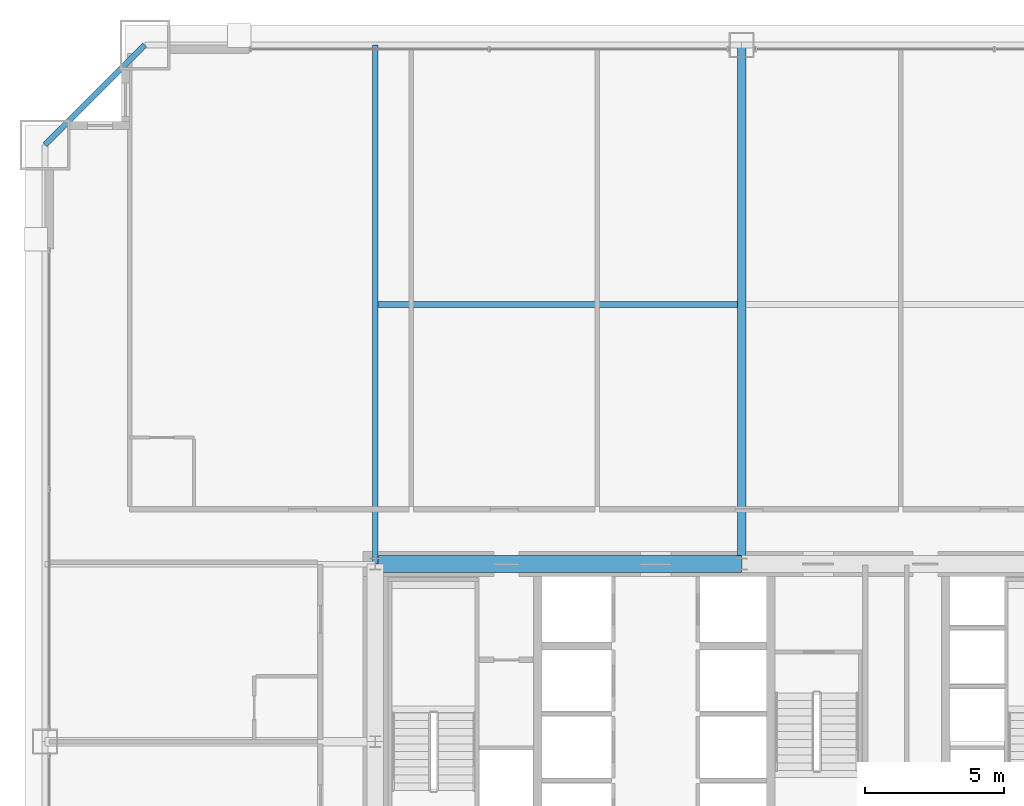
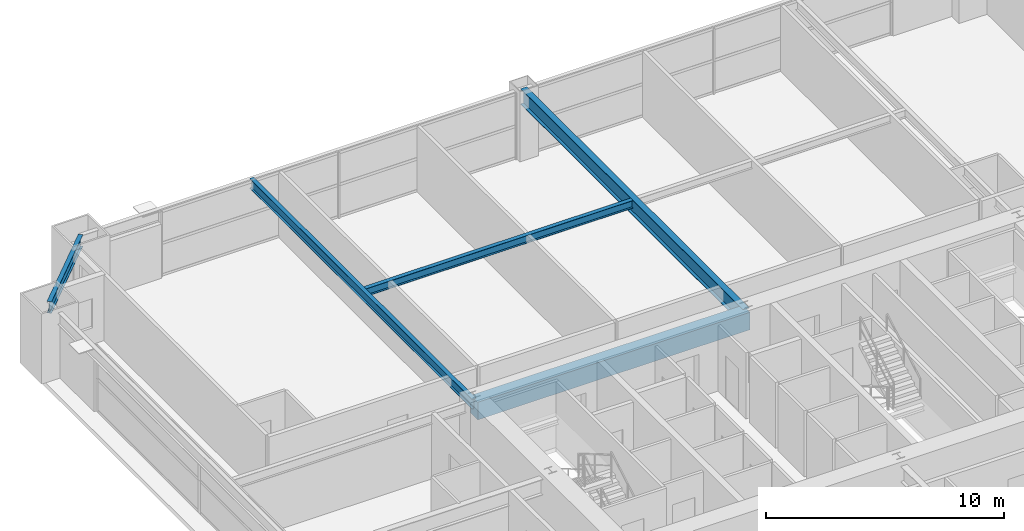
# One storey, part 25 of 43: 5 beams.
"""IFC4 building model written with IfcOpenShell, lengths in metres."""

import ifcopenshell
import ifcopenshell.guid

model = None  # the IFC model being written
_history = None  # IfcOwnerHistory: only IFC2X3 demands one
_inside = {}  # id of a spatial element -> (the spatial element, [elements in it])
_under = {}  # id of a project, library or spatial element -> (it, [spatial elements below it])
_declared = {}  # id of a project -> (the project, [libraries it declares])
_typed = {}  # id of a type object -> (the type object, [elements of that type])
_made_of = {}  # id of a material, layer set ... -> (it, [elements and type objects made of it])


def new_model(schema):
    """Start an empty IFC model of exactly this schema.

    Asked for "IFC4X3", IfcOpenShell would pick the latest addendum, in which some entities
    have other attributes; the version numbers below select the first issue.
    IFC2X3 requires an IfcOwnerHistory on every rooted entity: one is made here for all.
    """
    global model, _history
    if schema == "IFC4X3":
        model = ifcopenshell.file(schema_version=(4, 3, 0, 0))
    else:
        model = ifcopenshell.file(schema=schema)
    _inside.clear()
    _under.clear()
    _declared.clear()
    _typed.clear()
    _made_of.clear()
    _history = None
    if model.schema == "IFC2X3":
        org = make("IfcOrganization", Name="unknown")
        user = make(
            "IfcPersonAndOrganization",
            ThePerson=make("IfcPerson", FamilyName="unknown"),
            TheOrganization=org,
        )
        app = make(
            "IfcApplication",
            ApplicationDeveloper=org,
            Version="unknown",
            ApplicationFullName="unknown",
            ApplicationIdentifier="unknown",
        )
        _history = make(
            "IfcOwnerHistory",
            OwningUser=user,
            OwningApplication=app,
            ChangeAction="ADDED",
            CreationDate=0,
        )
    return model


def make(cls, **values):
    """One entity of the class cls with the attributes given. An attribute that is None is left unset."""
    return model.create_entity(
        cls, **{name: value for name, value in values.items() if value is not None}
    )


def rooted(cls, **values):
    """An entity with a GlobalId (a new one), such as an element, a storey or a relation."""
    return make(cls, GlobalId=ifcopenshell.guid.new(), OwnerHistory=_history, **values)


def si_unit(unit_type, name, prefix=None):
    """IfcSIUnit, for example si_unit("LENGTHUNIT", "METRE", prefix="MILLI")."""
    return make("IfcSIUnit", UnitType=unit_type, Prefix=prefix, Name=name)


def assignment(units):
    """IfcUnitAssignment: the units of a project."""
    return None if units is None else make("IfcUnitAssignment", Units=units)


def point(xyz):
    """IfcCartesianPoint."""
    return None if xyz is None else make("IfcCartesianPoint", Coordinates=xyz)


def direction(xyz):
    """IfcDirection."""
    return None if xyz is None else make("IfcDirection", DirectionRatios=xyz)


def frame(location, z_axis=None, x_axis=None):
    """IfcAxis2Placement3D, a coordinate frame: its origin and axes. An axis left out is left unset."""
    return make(
        "IfcAxis2Placement3D",
        Location=point(location),
        Axis=direction(z_axis),
        RefDirection=direction(x_axis),
    )


def frame_2d(location, x_axis=None):
    """IfcAxis2Placement2D, a coordinate frame in the plane: its origin and x axis."""
    return make(
        "IfcAxis2Placement2D", Location=point(location), RefDirection=direction(x_axis)
    )


def origin():
    """The frame at (0, 0, 0) with its axes left unset."""
    return frame((0.0, 0.0, 0.0))


def origin_2d():
    """The frame at (0, 0) in the plane with its x axis left unset."""
    return frame_2d((0.0, 0.0))


def place(relative_to, where):
    """IfcLocalPlacement: puts the frame where relative to a parent placement (None: the world)."""
    return make(
        "IfcLocalPlacement", PlacementRelTo=relative_to, RelativePlacement=where
    )


def context(
    kind, dimensions, precision=None, world=None, true_north=None, identifier=None
):
    """IfcGeometricRepresentationContext, for example the 3D "Model" context."""
    return make(
        "IfcGeometricRepresentationContext",
        ContextIdentifier=identifier,
        ContextType=kind,
        CoordinateSpaceDimension=dimensions,
        Precision=precision,
        WorldCoordinateSystem=world,
        TrueNorth=true_north,
    )


def subcontext(parent, identifier, kind, view, scale=None):
    """IfcGeometricRepresentationSubContext, for example "Body" below "Model"."""
    return make(
        "IfcGeometricRepresentationSubContext",
        ContextIdentifier=identifier,
        ContextType=kind,
        ParentContext=parent,
        TargetScale=scale,
        TargetView=view,
    )


def project(units=None, contexts=None):
    """IfcProject with its units and contexts."""
    return rooted(
        "IfcProject",
        Name="project",
        RepresentationContexts=contexts,
        UnitsInContext=assignment(units),
    )


def spatial(cls, under=None, at=None, **own):
    """A site, building, storey or space (cls), placed at a placement, below another one or the project."""
    s = rooted(cls, ObjectPlacement=at, **own)
    if under is not None:
        _under.setdefault(under.id(), (under, []))[1].append(s)
    return s


def profile(cls, at=None, kind="AREA", **sizes):
    """A parametric profile (cls). Its sizes go by their IFC names, for example OverallWidth=200.0."""
    return make(cls, ProfileType=kind, Position=at, **sizes)


def rectangle(**sizes):
    """IfcRectangleProfileDef."""
    return profile("IfcRectangleProfileDef", **sizes)


def i_section(**sizes):
    """IfcIShapeProfileDef."""
    return profile("IfcIShapeProfileDef", **sizes)


def extrude(swept, where, along, depth):
    """IfcExtrudedAreaSolid: the profile swept, set in the frame where, extruded along a direction by depth."""
    return make(
        "IfcExtrudedAreaSolid",
        SweptArea=swept,
        Position=where,
        ExtrudedDirection=direction(along),
        Depth=depth,
    )


def shape(context_of_items, identifier, shape_type, items):
    """IfcShapeRepresentation: the items that make up one representation, for example the "Body"."""
    return make(
        "IfcShapeRepresentation",
        ContextOfItems=context_of_items,
        RepresentationIdentifier=identifier,
        RepresentationType=shape_type,
        Items=items,
    )


def source(mapping_origin, context_of_items, identifier, shape_type, items):
    """IfcRepresentationMap: a shape defined once, which mapped items show again and again."""
    return make(
        "IfcRepresentationMap",
        MappingOrigin=mapping_origin,
        MappedRepresentation=shape(context_of_items, identifier, shape_type, items),
    )


def transform(
    local_origin,
    x_axis=None,
    y_axis=None,
    z_axis=None,
    scale=None,
    scale2=None,
    scale3=None,
    uniform=True,
):
    """IfcCartesianTransformationOperator3D, or its non-uniform kind. x_axis, y_axis, z_axis: its Axis1, 2, 3."""
    if uniform:
        return make(
            "IfcCartesianTransformationOperator3D",
            Axis1=direction(x_axis),
            Axis2=direction(y_axis),
            LocalOrigin=point(local_origin),
            Scale=scale,
            Axis3=direction(z_axis),
        )
    return make(
        "IfcCartesianTransformationOperator3DnonUniform",
        Axis1=direction(x_axis),
        Axis2=direction(y_axis),
        LocalOrigin=point(local_origin),
        Scale=scale,
        Axis3=direction(z_axis),
        Scale2=scale2,
        Scale3=scale3,
    )


def mapped(mapping_source, mapping_target):
    """IfcMappedItem: shows the shape of a source again, moved by a transform."""
    return make(
        "IfcMappedItem", MappingSource=mapping_source, MappingTarget=mapping_target
    )


def material(Name=None, Category=None):
    """IfcMaterial."""
    return make("IfcMaterial", Name=Name, Category=Category)


def material_profile(
    of_material, cross_section, Name=None, Category=None, Priority=None
):
    """IfcMaterialProfile: a cross section and its material."""
    return make(
        "IfcMaterialProfile",
        Name=Name,
        Material=of_material,
        Profile=cross_section,
        Priority=Priority,
        Category=Category,
    )


def profile_set(profiles, Name=None, composite=None):
    """IfcMaterialProfileSet."""
    return make(
        "IfcMaterialProfileSet",
        Name=Name,
        MaterialProfiles=profiles,
        CompositeProfile=composite,
    )


def made_of(thing, what):
    """Note that an element or type object is made of a material, layer set ...; save() writes the relation."""
    if what is not None:
        _made_of.setdefault(what.id(), (what, []))[1].append(thing)
    return thing


def type_object(cls, material=None, **own):
    """A type object (cls), such as IfcWallType, which elements share."""
    return made_of(rooted(cls, **own), material)


def element(
    cls,
    number,
    at=None,
    inside=None,
    cuts=None,
    type_object=None,
    material=None,
    context=None,
    identifier="Body",
    shape_type=None,
    held_by="IfcProductDefinitionShape",
    body=None,
    shapes=None,
    **own,
):
    """One element of the class cls, such as IfcWall. Its Tag is "e" and its number.

    at: its placement. inside: the storey or other place that contains it. cuts: it is an
    opening in that element (IfcRelVoidsElement). A single representation is given by context,
    identifier, shape_type and body (its items); several are given by shapes. held_by: the class
    of the entity that holds the representations. save() writes the other relations.
    """
    e = rooted(cls, Tag="e%d" % number, ObjectPlacement=at, **own)
    if body is not None:
        shapes = [shape(context, identifier, shape_type, body)]
    if shapes is not None:
        e.Representation = make(held_by, Representations=shapes)
    if inside is not None:
        _inside.setdefault(inside.id(), (inside, []))[1].append(e)
    if cuts is not None:
        rooted(
            "IfcRelVoidsElement", RelatingBuildingElement=cuts, RelatedOpeningElement=e
        )
    if type_object is not None:
        _typed.setdefault(type_object.id(), (type_object, []))[1].append(e)
    return made_of(e, material)


def aggregate(whole, parts):
    """IfcRelAggregates: a whole, such as a stair, and the parts it consists of."""
    return rooted("IfcRelAggregates", RelatingObject=whole, RelatedObjects=parts)


def save(model, path):
    """Write the relations noted so far, then the file.

    IfcRelAggregates (storeys below a building ...), IfcRelContainedInSpatialStructure (elements
    in a storey), IfcRelDefinesByType, IfcRelAssociatesMaterial and IfcRelDeclares: one each for
    every whole, place, type object, material and project.
    """
    for whole, parts in _under.values():
        aggregate(whole, parts)
    for where, things in _inside.values():
        rooted(
            "IfcRelContainedInSpatialStructure",
            RelatedElements=things,
            RelatingStructure=where,
        )
    for kind, things in _typed.values():
        rooted("IfcRelDefinesByType", RelatedObjects=things, RelatingType=kind)
    for what, things in _made_of.values():
        rooted("IfcRelAssociatesMaterial", RelatedObjects=things, RelatingMaterial=what)
    for by, libraries in _declared.values():
        rooted("IfcRelDeclares", RelatingContext=by, RelatedDefinitions=libraries)
    model.write(path)


model = new_model("IFC4")

# Units and contexts
model_context = context("Model", 3, precision=1e-05, world=origin(), true_north=direction((0.0, 1.0)))
body_context = subcontext(model_context, "Body", "Model", "MODEL_VIEW")
ifc_project = project(units=[si_unit("LENGTHUNIT", "METRE"), si_unit("AREAUNIT", "SQUARE_METRE"), si_unit("VOLUMEUNIT", "CUBIC_METRE"), si_unit("PLANEANGLEUNIT", "RADIAN"), si_unit("MASSUNIT", "GRAM", prefix="KILO"), si_unit("THERMODYNAMICTEMPERATUREUNIT", "KELVIN"), si_unit("POWERUNIT", "WATT")], contexts=[model_context])

# Site, building, storey
site_placement = place(None, origin())
site = spatial("IfcSite", under=ifc_project, at=site_placement, CompositionType="ELEMENT")
building_placement = place(site_placement, origin())
building = spatial("IfcBuilding", under=site, at=building_placement, Name="Yuzanri Waterfront Tower", CompositionType="ELEMENT")
storey_placement = place(building_placement, frame((0.0, 0.0, 64.0)))
storey = spatial("IfcBuildingStorey", under=building, at=storey_placement, Name="L16", CompositionType="ELEMENT", Elevation=64.0)

# Beams
ifc_material_1 = material(Name="Concrete C60", Category="concrete")
ifc_material_profile_1 = material_profile(ifc_material_1, rectangle(XDim=0.60009765625, YDim=0.89990234375, at=origin_2d()), Name="RC 600x900")
ifc_profile_set_1 = profile_set([ifc_material_profile_1], Name="Concrete C60")
beam_type_1 = type_object("IfcBeamType", Name="Core Coupling Lintel Concrete C60 600x900", PredefinedType="LINTEL", material=ifc_profile_set_1)
shared_shape_1 = source(origin(), body_context, "Body", "SweptSolid", [
    extrude(rectangle(XDim=0.60009765625, YDim=0.89990234375, at=origin_2d()), origin(), (0.0, 0.0, 1.0), 13.199951171875),
])
beam_1_placement = place(storey_placement, frame((23.800048828125, 32.199951171875, 2.929931640625), z_axis=(1.0, 0.0, 0.0), x_axis=(0.0, 1.0, 0.0)))
element("IfcBeam", 1, at=beam_1_placement, inside=storey, type_object=beam_type_1, Name="L16 Core Tie Beam CN1", PredefinedType="LINTEL", context=body_context, shape_type="MappedRepresentation", body=[
    mapped(shared_shape_1, transform((0.0, 0.0, 0.0), scale=1.0)),
])
ifc_material_2 = material(Name="Steel Q355B", Category="steel")
ifc_material_profile_2 = material_profile(ifc_material_2, i_section(OverallWidth=0.199951171875, OverallDepth=0.60009765625, WebThickness=0.010986328125, FlangeThickness=0.01708984375, at=origin_2d()), Name="HN 600x200x11x17")
ifc_profile_set_2 = profile_set([ifc_material_profile_2], Name="Steel Q355B")
beam_type_2 = type_object("IfcBeamType", Name="Perimeter Spandrel Q355B HN 600x200", PredefinedType="SPANDREL", material=ifc_profile_set_2)
shared_shape_2 = source(origin(), body_context, "Body", "SweptSolid", [
    extrude(i_section(OverallWidth=0.199951171875, OverallDepth=0.60009765625, WebThickness=0.010986328125, FlangeThickness=0.01708984375, at=origin_2d()), origin(), (0.0, 0.0, 1.0), 5.091064453125),
])
beam_2_placement = place(storey_placement, frame((15.5, 50.89990234375, 3.080078125), z_axis=(-0.707130757816, -0.707082803744, 0.0), x_axis=(0.707082803744, -0.707130757816, 0.0)))
element("IfcBeam", 2, at=beam_2_placement, inside=storey, type_object=beam_type_2, Name="L16 Perimeter Spandrel N1-W3", PredefinedType="SPANDREL", context=body_context, shape_type="MappedRepresentation", body=[
    mapped(shared_shape_2, transform((0.0, 0.0, 0.0), scale=1.0)),
])
ifc_material_3 = material(Name="Steel Q355B", Category="steel")
ifc_material_profile_3 = material_profile(ifc_material_3, i_section(OverallWidth=0.300048828125, OverallDepth=0.800048828125, WebThickness=0.013916015625, FlangeThickness=0.02587890625, at=origin_2d()), Name="HN 800x300x14x26")
ifc_profile_set_3 = profile_set([ifc_material_profile_3], Name="Steel Q355B")
beam_type_3 = type_object("IfcBeamType", Name="Primary Floor Girder Q355B HN 800x300", PredefinedType="BEAM", material=ifc_profile_set_3)
shared_shape_3 = source(origin(), body_context, "Body", "SweptSolid", [
    extrude(i_section(OverallWidth=0.300048828125, OverallDepth=0.800048828125, WebThickness=0.013916015625, FlangeThickness=0.02587890625, at=origin_2d()), origin(), (0.0, 0.0, 1.0), 18.699951171875),
])
beam_3_placement = place(storey_placement, frame((37.0, 32.199951171875, 2.97998046875), z_axis=(0.0, 1.0, 0.0), x_axis=(-1.0, 0.0, 0.0)))
element("IfcBeam", 3, at=beam_3_placement, inside=storey, type_object=beam_type_3, Name="L16 North Grid Girder", PredefinedType="BEAM", context=body_context, shape_type="MappedRepresentation", body=[
    mapped(shared_shape_3, transform((0.0, 0.0, 0.0), scale=1.0)),
])
ifc_material_4 = material(Name="Steel Q355B", Category="steel")
ifc_material_profile_4 = material_profile(ifc_material_4, i_section(OverallWidth=0.199951171875, OverallDepth=0.5, WebThickness=0.010009765625, FlangeThickness=0.01611328125, at=origin_2d()), Name="HN 500x200x10x16")
ifc_profile_set_4 = profile_set([ifc_material_profile_4], Name="Steel Q355B")
beam_type_4 = type_object("IfcBeamType", Name="Secondary Floor Beam Q355B HN 500x200", PredefinedType="BEAM", material=ifc_profile_set_4)
shared_shape_4 = source(origin(), body_context, "Body", "SweptSolid", [
    extrude(i_section(OverallWidth=0.199951171875, OverallDepth=0.5, WebThickness=0.010009765625, FlangeThickness=0.01611328125, at=origin_2d()), origin(), (0.0, 0.0, 1.0), 18.699951171875),
])
beam_4_placement = place(storey_placement, frame((23.800048828125, 32.199951171875, 3.1298828125), z_axis=(0.0, 1.0, 0.0), x_axis=(-1.0, 0.0, 0.0)))
element("IfcBeam", 4, at=beam_4_placement, inside=storey, type_object=beam_type_4, Name="L16 North-West Core Line Beam", PredefinedType="BEAM", context=body_context, shape_type="MappedRepresentation", body=[
    mapped(shared_shape_4, transform((0.0, 0.0, 0.0), scale=1.0)),
])
ifc_material_5 = material(Name="Steel Q355B", Category="steel")
ifc_material_profile_5 = material_profile(ifc_material_5, i_section(OverallWidth=0.199951171875, OverallDepth=0.39990234375, WebThickness=0.008056640625, FlangeThickness=0.012939453125, at=origin_2d()), Name="HN 400x200x8x13")
ifc_profile_set_5 = profile_set([ifc_material_profile_5], Name="Steel Q355B")
beam_type_5 = type_object("IfcBeamType", Name="Floor Joist Q355B HN 400x200", PredefinedType="JOIST", material=ifc_profile_set_5)
shared_shape_5 = source(origin(), body_context, "Body", "SweptSolid", [
    extrude(i_section(OverallWidth=0.199951171875, OverallDepth=0.39990234375, WebThickness=0.008056640625, FlangeThickness=0.012939453125, at=origin_2d()), origin(), (0.0, 0.0, 1.0), 12.9501953125),
])
beam_5_placement = place(storey_placement, frame((23.89990234375, 41.550048828125, 3.179931640625), z_axis=(1.0, 0.0, 0.0), x_axis=(0.0, 1.0, 0.0)))
element("IfcBeam", 5, at=beam_5_placement, inside=storey, type_object=beam_type_5, Name="L16 North Bay Joist W", PredefinedType="JOIST", context=body_context, shape_type="MappedRepresentation", body=[
    mapped(shared_shape_5, transform((0.0, 0.0, 0.0), scale=1.0)),
])

save(model, "model.ifc")
